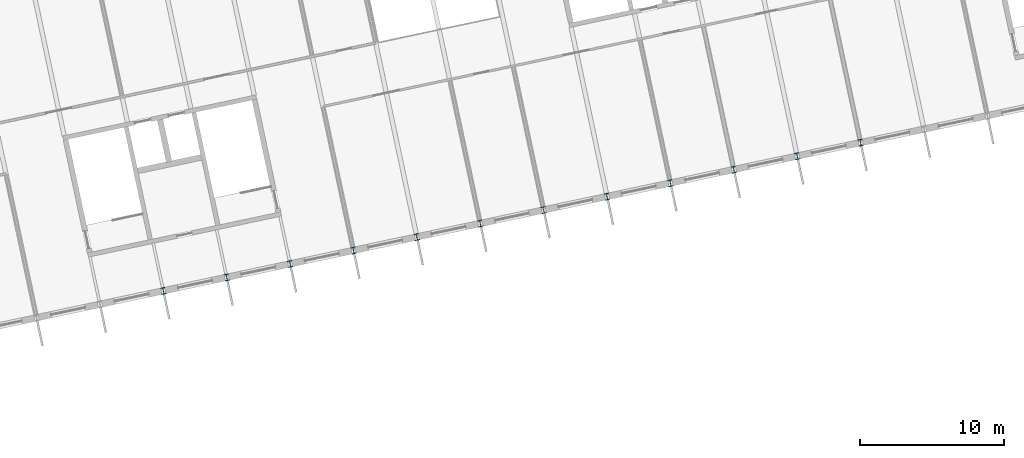
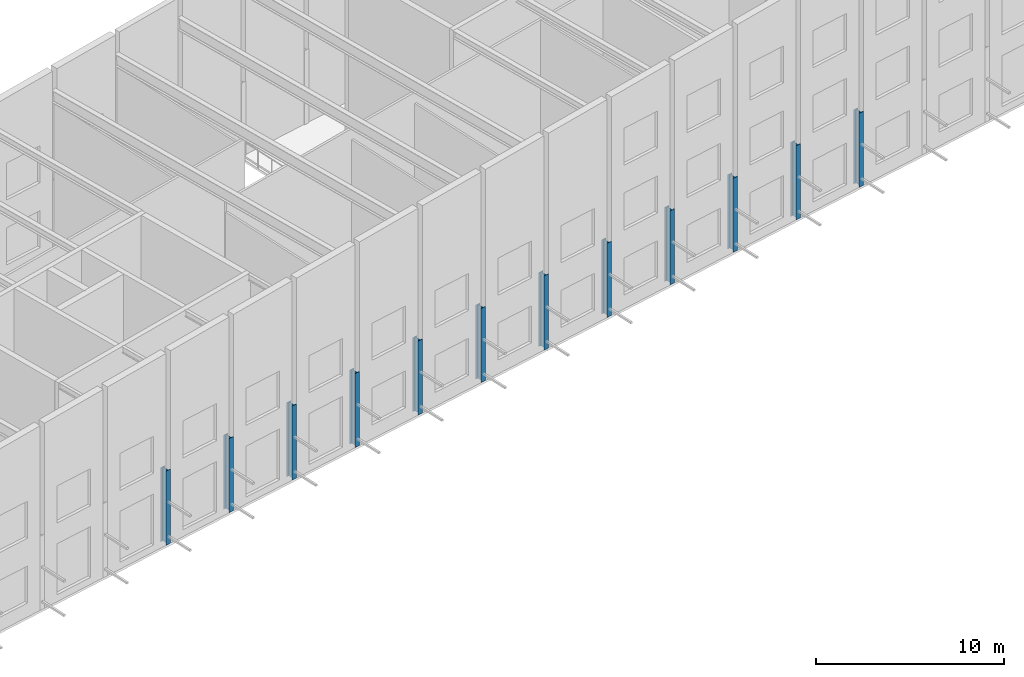
# One storey, part 6 of 69: 12 columns.
"""IFC4 building model written with IfcOpenShell, lengths in metres."""

from ifc_helpers import new_model, si_unit, direction, frame, origin, origin_2d, place, context, subcontext, project, spatial, i_section, extrude, material, material_profile, profile_set, type_object, element, save


model = new_model("IFC4")

# Units and contexts
model_context = context("Model", 3, precision=1e-05, world=origin(), true_north=direction((0.0, 1.0)))
body_context = subcontext(model_context, "Body", "Model", "MODEL_VIEW")
ifc_project = project(units=[si_unit("LENGTHUNIT", "METRE"), si_unit("AREAUNIT", "SQUARE_METRE"), si_unit("VOLUMEUNIT", "CUBIC_METRE"), si_unit("PLANEANGLEUNIT", "RADIAN"), si_unit("MASSUNIT", "GRAM", prefix="KILO")], contexts=[model_context])

# Site, building, storey
site_placement = place(None, origin())
site = spatial("IfcSite", under=ifc_project, at=site_placement, CompositionType="ELEMENT")
building_placement = place(site_placement, origin())
building = spatial("IfcBuilding", under=site, at=building_placement, Name="Okhra Congress Centre", CompositionType="ELEMENT")
storey_placement = place(building_placement, frame((0.0, 0.0, 16.800048828125)))
storey = spatial("IfcBuildingStorey", under=building, at=storey_placement, Name="L03", CompositionType="ELEMENT", Elevation=16.800048828125)

# Columns
ifc_material = material(Name="Steel S355J2", Category="steel")
ifc_material_profile = material_profile(ifc_material, i_section(OverallWidth=0.300048828125, OverallDepth=0.449951171875, WebThickness=0.013916015625, FlangeThickness=0.02587890625, FilletRadius=0.027099609375, at=origin_2d()), Name="HE 450 B")
ifc_profile_set = profile_set([ifc_material_profile], Name="Steel S355J2")
column_type = type_object("IfcColumnType", Name="Steel post HE 450 B", PredefinedType="COLUMN", material=ifc_profile_set)
for number, where, z_axis, x_axis, name in (
    (1, (140.240966796875, 43.650146484375, 0.0), (0.0, 0.0, 1.0), (0.978147600734, 0.207911690818, 0.0), "Post S19"),
    (2, (144.642578125, 44.585693359375, 0.0), (0.0, 0.0, 1.0), (0.978147600734, 0.207911690818, 0.0), "Post S20"),
    (3, (149.044189453125, 45.521240234375, 0.0), (0.0, 0.0, 1.0), (0.978147600734, 0.207911690818, 0.0), "Post S21"),
    (4, (153.446044921875, 46.456787109375, 0.0), (0.0, 0.0, 1.0), (0.978147600734, 0.207911690818, 0.0), "Post S22"),
    (5, (157.84765625, 47.392578125, 0.0), (0.0, 0.0, 1.0), (0.978147600734, 0.207911690818, 0.0), "Post S23"),
    (6, (162.249267578125, 48.328125, 0.0), (0.0, 0.0, 1.0), (0.978147600734, 0.207911690818, 0.0), "Post S24"),
    (7, (166.65087890625, 49.263671875, 0.0), (0.0, 0.0, 1.0), (0.978147600734, 0.207911690818, 0.0), "Post S25"),
    (8, (171.052490234375, 50.19921875, 0.0), (0.0, 0.0, 1.0), (0.978147600734, 0.207911690818, 0.0), "Post S26"),
    (9, (175.454345703125, 51.135009765625, 0.0), (0.0, 0.0, 1.0), (0.978147600734, 0.207911690818, 0.0), "Post S27"),
    (10, (179.85595703125, 52.070556640625, 0.0), (0.0, 0.0, 1.0), (0.978147600734, 0.207911690818, 0.0), "Post S28"),
    (11, (184.257568359375, 53.006103515625, 0.0), (0.0, 0.0, 1.0), (0.978147600734, 0.207911690818, 0.0), "Post S29"),
    (12, (188.6591796875, 53.941650390625, 0.0), (0.0, 0.0, 1.0), (0.978147600734, 0.207911690818, 0.0), "Post S30"),
):
    element("IfcColumn", number, at=place(storey_placement, frame(where, z_axis=z_axis, x_axis=x_axis)), inside=storey, type_object=column_type, Name=name, PredefinedType="COLUMN", context=body_context, shape_type="SweptSolid", body=[
        extrude(i_section(OverallWidth=0.300048828125, OverallDepth=0.449951171875, WebThickness=0.013916015625, FlangeThickness=0.02587890625, FilletRadius=0.027099609375, at=origin_2d()), origin(), (0.0, 0.0, 1.0), 4.800048828125),
    ])

save(model, "model.ifc")
